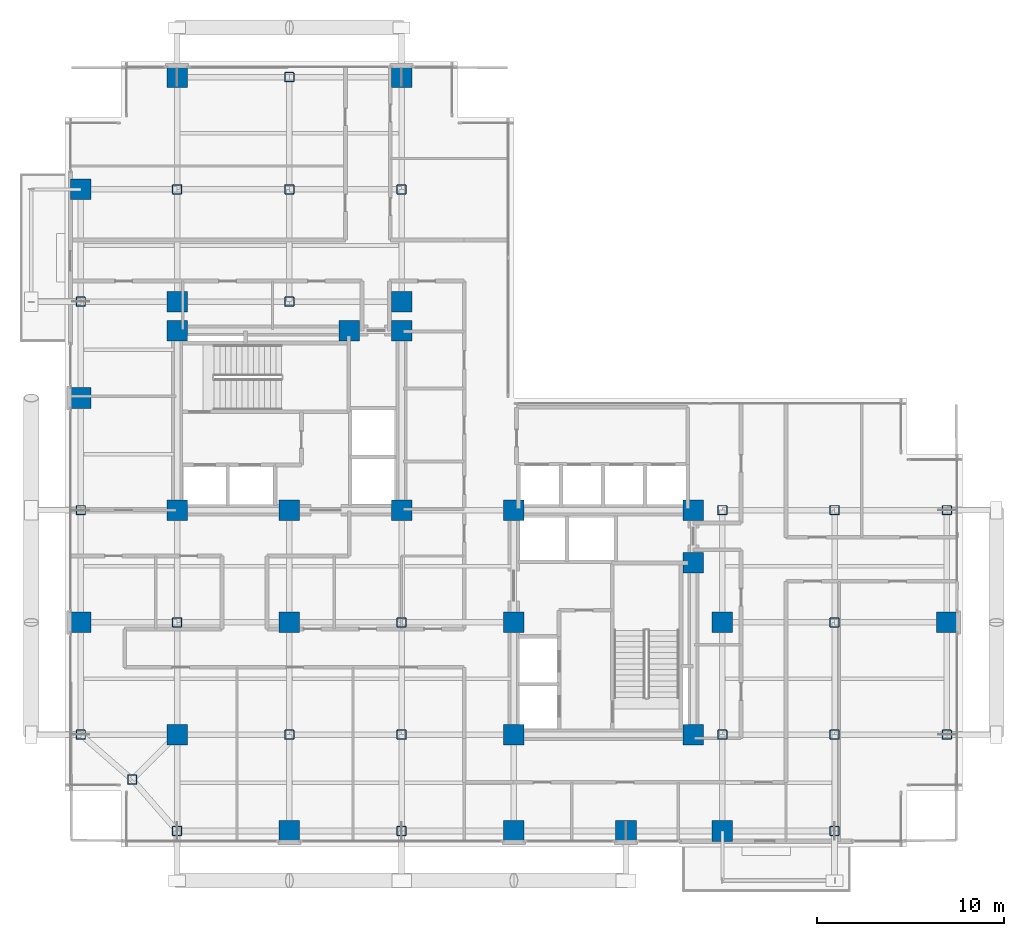
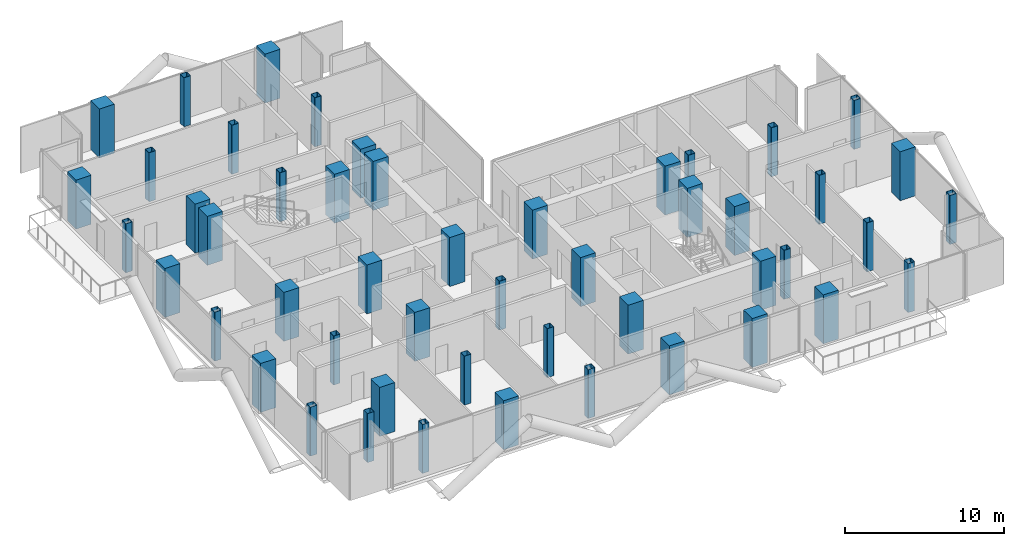
# One storey, part 1 of 28: 50 columns.
"""IFC4 building model written with IfcOpenShell, lengths in metres."""

from ifc_helpers import new_model, si_unit, direction, frame, origin, origin_2d, place, context, subcontext, project, spatial, rectangle, hollow_rectangle, extrude, material, material_profile, profile_set, type_object, element, save


model = new_model("IFC4")

# Units and contexts
model_context = context("Model", 3, precision=1e-05, world=origin(), true_north=direction((0.0, 1.0)))
body_context = subcontext(model_context, "Body", "Model", "MODEL_VIEW")
ifc_project = project(units=[si_unit("LENGTHUNIT", "METRE"), si_unit("AREAUNIT", "SQUARE_METRE"), si_unit("VOLUMEUNIT", "CUBIC_METRE"), si_unit("PLANEANGLEUNIT", "RADIAN"), si_unit("MASSUNIT", "GRAM", prefix="KILO"), si_unit("THERMODYNAMICTEMPERATUREUNIT", "KELVIN"), si_unit("POWERUNIT", "WATT")], contexts=[model_context])

# Site, building, storey
site_placement = place(None, origin())
site = spatial("IfcSite", under=ifc_project, at=site_placement, CompositionType="ELEMENT")
building_placement = place(site_placement, origin())
building = spatial("IfcBuilding", under=site, at=building_placement, Name="Svarakhadi Broadcast Tower", CompositionType="ELEMENT")
storey_placement = place(building_placement, frame((0.0, 0.0, 149.39990234375)))
storey = spatial("IfcBuildingStorey", under=building, at=storey_placement, Name="L36", CompositionType="ELEMENT", Elevation=149.39990234375)

# Columns
ifc_material_1 = material(Name="Concrete C50/60 (IS 456 M60)", Category="concrete")
ifc_material_profile_1 = material_profile(ifc_material_1, rectangle(XDim=1.10009765625, YDim=1.10009765625, at=origin_2d()), Name="RC 1100x1100")
ifc_profile_set_1 = profile_set([ifc_material_profile_1], Name="Concrete C50/60 (IS 456 M60)")
column_type_1 = type_object("IfcColumnType", Name="Col_RC1100", PredefinedType="COLUMN", material=ifc_profile_set_1)
for number, where, z_axis, x_axis, name in (
    (1, (6.0, 18.0, 0.0), (0.0, 0.0, 1.0), (1.0, 0.0, 0.0), "L36 Column CW1"),
    (2, (12.0, 18.0, 0.0), (0.0, 0.0, 1.0), (1.0, 0.0, 0.0), "L36 Column CW2"),
    (3, (18.0, 18.0, 0.0), (0.0, 0.0, 1.0), (1.0, 0.0, 0.0), "L36 Column CW3"),
    (4, (6.0, 27.60009765625, 0.0), (0.0, 0.0, 1.0), (1.0, 0.0, 0.0), "L36 Column CW4"),
    (5, (15.199951171875, 27.60009765625, 0.0), (0.0, 0.0, 1.0), (1.0, 0.0, 0.0), "L36 Column CW5"),
    (6, (18.0, 27.60009765625, 0.0), (0.0, 0.0, 1.0), (1.0, 0.0, 0.0), "L36 Column CW6"),
    (7, (24.0, 6.0, 0.0), (0.0, 0.0, 1.0), (1.0, 0.0, 0.0), "L36 Column CE1"),
    (8, (24.0, 12.0, 0.0), (0.0, 0.0, 1.0), (1.0, 0.0, 0.0), "L36 Column CE2"),
    (9, (24.0, 18.0, 0.0), (0.0, 0.0, 1.0), (1.0, 0.0, 0.0), "L36 Column CE3"),
    (10, (33.60009765625, 6.0, 0.0), (0.0, 0.0, 1.0), (1.0, 0.0, 0.0), "L36 Column CE4"),
    (11, (33.60009765625, 15.199951171875, 0.0), (0.0, 0.0, 1.0), (1.0, 0.0, 0.0), "L36 Column CE5"),
    (12, (33.60009765625, 18.0, 0.0), (0.0, 0.0, 1.0), (1.0, 0.0, 0.0), "L36 Column CE6"),
    (13, (0.85009765625, 12.0, 0.0), (0.0, 0.0, 1.0), (1.0, 0.0, 0.0), "L36 Column G04"),
    (14, (0.85009765625, 24.0, 0.0), (0.0, 0.0, 1.0), (1.0, 0.0, 0.0), "L36 Column G06"),
    (15, (0.85009765625, 35.14990234375, 0.0), (0.0, 0.0, 1.0), (1.0, 0.0, 0.0), "L36 Column G08"),
    (16, (6.0, 6.0, 0.0), (0.0, 0.0, 1.0), (1.0, 0.0, 0.0), "L36 Column G12"),
    (17, (6.0, 29.14990234375, 0.0), (0.0, 0.0, 1.0), (1.0, 0.0, 0.0), "L36 Column G14"),
    (18, (6.0, 41.14990234375, 0.0), (0.0, 0.0, 1.0), (1.0, 0.0, 0.0), "L36 Column G16"),
    (19, (12.0, 0.85009765625, 0.0), (0.0, 0.0, 1.0), (1.0, 0.0, 0.0), "L36 Column G18"),
    (20, (12.0, 12.0, 0.0), (0.0, 0.0, 1.0), (1.0, 0.0, 0.0), "L36 Column G20"),
    (21, (18.0, 29.14990234375, 0.0), (0.0, 0.0, 1.0), (1.0, 0.0, 0.0), "L36 Column G28"),
    (22, (18.0, 41.14990234375, 0.0), (0.0, 0.0, 1.0), (1.0, 0.0, 0.0), "L36 Column G30"),
    (23, (24.0, 0.85009765625, 0.0), (0.0, 0.0, 1.0), (1.0, 0.0, 0.0), "L36 Column G32"),
    (24, (30.0, 0.85009765625, 0.0), (0.0, 0.0, 1.0), (1.0, 0.0, 0.0), "L36 Column G36"),
    (25, (35.14990234375, 0.85009765625, 0.0), (0.0, 0.0, 1.0), (1.0, 0.0, 0.0), "L36 Column G38"),
    (26, (35.14990234375, 12.0, 0.0), (0.0, 0.0, 1.0), (1.0, 0.0, 0.0), "L36 Column G40"),
    (27, (47.14990234375, 12.0, 0.0), (0.0, 0.0, 1.0), (1.0, 0.0, 0.0), "L36 Column G52"),
):
    element("IfcColumn", number, at=place(storey_placement, frame(where, z_axis=z_axis, x_axis=x_axis)), inside=storey, type_object=column_type_1, Name=name, PredefinedType="COLUMN", context=body_context, shape_type="SweptSolid", body=[
        extrude(rectangle(XDim=1.10009765625, YDim=1.10009765625, at=origin_2d()), origin(), (0.0, 0.0, 1.0), 3.75),
    ])
ifc_material_2 = material(Name="Steel S460ML (IS 2062 E450BR)", Category="steel")
ifc_material_profile_2 = material_profile(ifc_material_2, hollow_rectangle(XDim=0.5, YDim=0.5, WallThickness=0.02490234375, InnerFilletRadius=0.02490234375, OuterFilletRadius=0.0400390625, at=origin_2d()), Name="SHS 500x500x25")
ifc_profile_set_2 = profile_set([ifc_material_profile_2], Name="Steel S460ML (IS 2062 E450BR)")
column_type_2 = type_object("IfcColumnType", Name="Col_SHS500", PredefinedType="COLUMN", material=ifc_profile_set_2)
for number, where, z_axis, x_axis, name in (
    (28, (3.60009765625, 3.60009765625, 0.0), (0.0, 0.0, 1.0), (1.0, 0.0, 0.0), "L36 Column G01"),
    (29, (0.85009765625, 6.0, 0.0), (0.0, 0.0, 1.0), (1.0, 0.0, 0.0), "L36 Column G03"),
    (30, (0.85009765625, 18.0, 0.0), (0.0, 0.0, 1.0), (1.0, 0.0, 0.0), "L36 Column G05"),
    (31, (0.85009765625, 29.14990234375, 0.0), (0.0, 0.0, 1.0), (1.0, 0.0, 0.0), "L36 Column G07"),
    (32, (6.0, 0.85009765625, 0.0), (0.0, 0.0, 1.0), (1.0, 0.0, 0.0), "L36 Column G11"),
    (33, (6.0, 12.0, 0.0), (0.0, 0.0, 1.0), (1.0, 0.0, 0.0), "L36 Column G13"),
    (34, (6.0, 35.14990234375, 0.0), (0.0, 0.0, 1.0), (1.0, 0.0, 0.0), "L36 Column G15"),
    (35, (12.0, 6.0, 0.0), (0.0, 0.0, 1.0), (1.0, 0.0, 0.0), "L36 Column G19"),
    (36, (12.0, 29.14990234375, 0.0), (0.0, 0.0, 1.0), (1.0, 0.0, 0.0), "L36 Column G21"),
    (37, (12.0, 35.14990234375, 0.0), (0.0, 0.0, 1.0), (1.0, 0.0, 0.0), "L36 Column G22"),
    (38, (12.0, 41.14990234375, 0.0), (0.0, 0.0, 1.0), (1.0, 0.0, 0.0), "L36 Column G23"),
    (39, (18.0, 0.85009765625, 0.0), (0.0, 0.0, 1.0), (1.0, 0.0, 0.0), "L36 Column G25"),
    (40, (18.0, 6.0, 0.0), (0.0, 0.0, 1.0), (1.0, 0.0, 0.0), "L36 Column G26"),
    (41, (18.0, 12.0, 0.0), (0.0, 0.0, 1.0), (1.0, 0.0, 0.0), "L36 Column G27"),
    (42, (18.0, 35.14990234375, 0.0), (0.0, 0.0, 1.0), (1.0, 0.0, 0.0), "L36 Column G29"),
    (43, (35.14990234375, 6.0, 0.0), (0.0, 0.0, 1.0), (1.0, 0.0, 0.0), "L36 Column G39"),
    (44, (35.14990234375, 18.0, 0.0), (0.0, 0.0, 1.0), (1.0, 0.0, 0.0), "L36 Column G41"),
    (45, (41.14990234375, 0.85009765625, 0.0), (0.0, 0.0, 1.0), (1.0, 0.0, 0.0), "L36 Column G43"),
    (46, (41.14990234375, 6.0, 0.0), (0.0, 0.0, 1.0), (1.0, 0.0, 0.0), "L36 Column G44"),
    (47, (41.14990234375, 12.0, 0.0), (0.0, 0.0, 1.0), (1.0, 0.0, 0.0), "L36 Column G45"),
    (48, (41.14990234375, 18.0, 0.0), (0.0, 0.0, 1.0), (1.0, 0.0, 0.0), "L36 Column G46"),
    (49, (47.14990234375, 6.0, 0.0), (0.0, 0.0, 1.0), (1.0, 0.0, 0.0), "L36 Column G51"),
    (50, (47.14990234375, 18.0, 0.0), (0.0, 0.0, 1.0), (1.0, 0.0, 0.0), "L36 Column G53"),
):
    element("IfcColumn", number, at=place(storey_placement, frame(where, z_axis=z_axis, x_axis=x_axis)), inside=storey, type_object=column_type_2, Name=name, PredefinedType="COLUMN", context=body_context, shape_type="SweptSolid", body=[
        extrude(hollow_rectangle(XDim=0.5, YDim=0.5, WallThickness=0.02490234375, InnerFilletRadius=0.02490234375, OuterFilletRadius=0.0400390625, at=origin_2d()), origin(), (0.0, 0.0, 1.0), 3.75),
    ])

save(model, "model.ifc")
